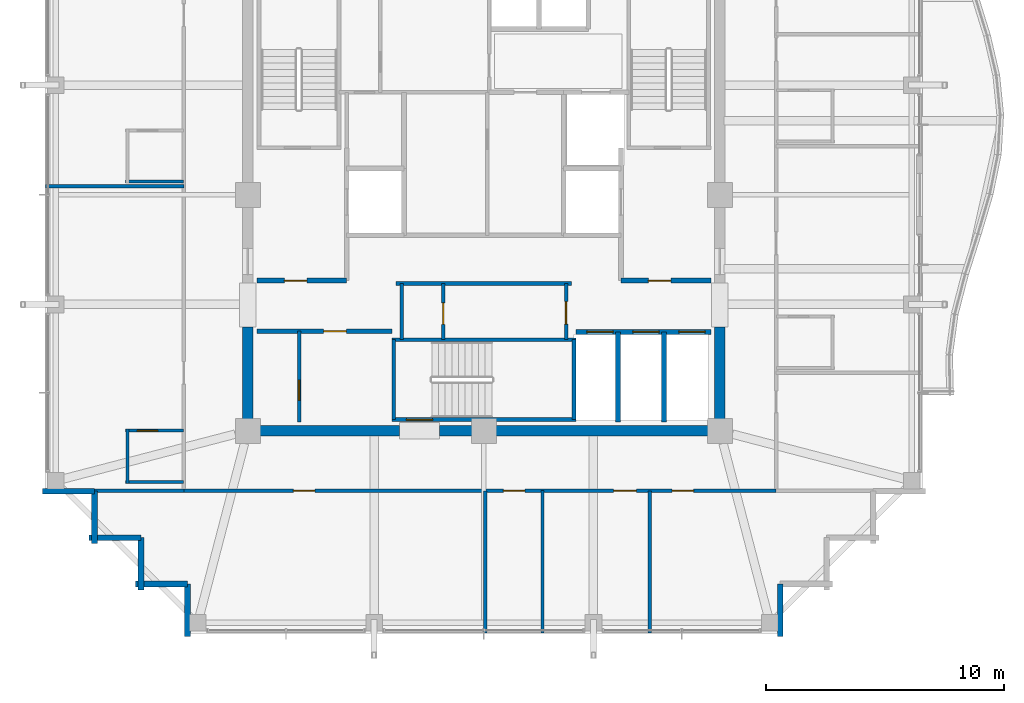
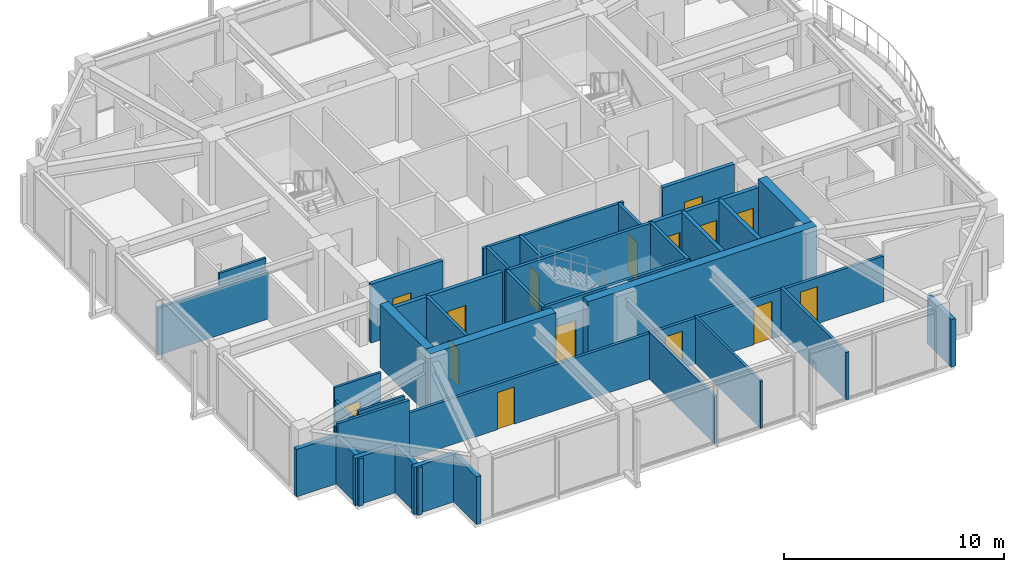
# One storey, part 24 of 29: 36 walls, 15 doors, 15 openings.
"""IFC4 building model written with IfcOpenShell, lengths in metres."""

from ifc_helpers import new_model, si_unit, direction, frame, frame_2d, origin, place, context, subcontext, project, spatial, rectangle, extrude, material, layer, layer_set, type_object, element, fill, save


model = new_model("IFC4")

# Units and contexts
model_context = context("Model", 3, precision=1e-05, world=origin(), true_north=direction((0.0, 1.0)))
body_context = subcontext(model_context, "Body", "Model", "MODEL_VIEW")
ifc_project = project(units=[si_unit("LENGTHUNIT", "METRE"), si_unit("AREAUNIT", "SQUARE_METRE"), si_unit("VOLUMEUNIT", "CUBIC_METRE"), si_unit("PLANEANGLEUNIT", "RADIAN"), si_unit("MASSUNIT", "GRAM", prefix="KILO")], contexts=[model_context])

# Site, building, storey
site_placement = place(None, origin())
site = spatial("IfcSite", under=ifc_project, at=site_placement, CompositionType="ELEMENT")
building_placement = place(site_placement, origin())
building = spatial("IfcBuilding", under=site, at=building_placement, Name="Kolvaren Belvedere", CompositionType="ELEMENT")
storey_placement = place(building_placement, frame((0.0, 0.0, 244.39990234375)))
storey = spatial("IfcBuildingStorey", under=building, at=storey_placement, Name="L71", CompositionType="ELEMENT", Elevation=244.39990234375)

# Walls
ifc_material_1 = material(Name="Concrete C50/60", Category="concrete")
ifc_layer_1 = layer(ifc_material_1, 0.449951171875)
ifc_layer_set_1 = layer_set([ifc_layer_1], Name="Concrete C50/60")
wall_type_1 = type_object("IfcWallType", Name="CW-CORE-450", PredefinedType="SHEAR", material=ifc_layer_set_1)
wall_1_placement = place(storey_placement, frame((10.125, -9.89990234375, 0.0), z_axis=(0.0, 0.0, 1.0), x_axis=(-1.0, 0.0, 0.0)))
element("IfcWall", 1, at=wall_1_placement, inside=storey, type_object=wall_type_1, Name="L71 South Core Shear Wall 1", PredefinedType="SHEAR", context=body_context, shape_type="SweptSolid", body=[
    extrude(rectangle(XDim=11.985107421875, YDim=0.449951171875, at=frame_2d((5.99267578125, 0.0))), origin(), (0.0, 0.0, 1.0), 3.5),
])
wall_2_placement = place(storey_placement, frame((-3.5400390625, -9.89990234375, 0.0), z_axis=(0.0, 0.0, 1.0), x_axis=(-1.0, 0.0, 0.0)))
element("IfcWall", 2, at=wall_2_placement, inside=storey, type_object=wall_type_1, Name="L71 South Core Shear Wall 2", PredefinedType="SHEAR", context=body_context, shape_type="SweptSolid", body=[
    extrude(rectangle(XDim=6.5849609375, YDim=0.449951171875, at=frame_2d((3.29248046875, 0.0))), origin(), (0.0, 0.0, 1.0), 3.5),
])
for number, where, z_axis, x_axis, name in (
    (3, (-9.89990234375, -9.675048828125, 0.0), (0.0, 0.0, 1.0), (0.0, 1.0, 0.0), "L71 West Core Shear Wall 1"),
    (4, (9.89990234375, -9.675048828125, 0.0), (0.0, 0.0, 1.0), (0.0, 1.0, 0.0), "L71 East Core Shear Wall 1"),
):
    element("IfcWall", number, at=place(storey_placement, frame(where, z_axis=z_axis, x_axis=x_axis)), inside=storey, type_object=wall_type_1, Name=name, PredefinedType="SHEAR", context=body_context, shape_type="SweptSolid", body=[
        extrude(rectangle(XDim=4.125, YDim=0.449951171875, at=frame_2d((2.0625, 0.0))), origin(), (0.0, 0.0, 1.0), 3.5),
    ])

# Wall, opening, door
ifc_material_2 = material(Name="Concrete C50/60", Category="concrete")
ifc_layer_2 = layer(ifc_material_2, 0.159912109375)
ifc_layer_set_2 = layer_set([ifc_layer_2], Name="Concrete C50/60")
wall_type_2 = type_object("IfcWallType", Name="CW-STAIR-160", PredefinedType="SHEAR", material=ifc_layer_set_2)
wall_3_placement = place(storey_placement, frame((3.860107421875, -9.429931640625, 0.0), z_axis=(0.0, 0.0, 1.0), x_axis=(-1.0, 0.0, 0.0)))
wall_3 = element("IfcWall", 5, at=wall_3_placement, inside=storey, type_object=wall_type_2, Name="L71 Stair ST-3 South Shear Wall", PredefinedType="SHEAR", context=body_context, shape_type="SweptSolid", body=[
    extrude(rectangle(XDim=7.72021484375, YDim=0.159912109375, at=frame_2d((3.860107421875, 0.0))), origin(), (0.0, 0.0, 1.0), 3.5),
])
opening_1_placement = place(wall_3_placement, frame((6.010009765625, 0.0, 0.0)))
opening_1 = element("IfcOpeningElement", 6, at=opening_1_placement, cuts=wall_3, Name="Opening D-FD90", PredefinedType="OPENING", context=body_context, shape_type="SweptSolid", body=[
    extrude(rectangle(XDim=1.10009765625, YDim=2.199951171875, at=frame_2d((0.550048828125, 1.10009765625))), frame((0.0, 0.08984375, 0.0), z_axis=(0.0, -1.0, 0.0), x_axis=(1.0, 0.0, 0.0)), (0.0, 0.0, 1.0), 0.179931640625),
])
ifc_material_3 = material(Name="Painted hollow stainless steel", Category="steel")
door_type_1 = type_object("IfcDoorType", Name="DR-FD90-1100", OperationType="NOTDEFINED", PredefinedType="DOOR", material=ifc_material_3)
door_1_placement = place(opening_1_placement, origin())
door_1 = element("IfcDoor", 7, at=door_1_placement, inside=storey, type_object=door_type_1, Name="L71 Stair ST-3 Exit Door", OperationType="SINGLE_SWING_RIGHT", OverallHeight=2.199951171875, OverallWidth=1.10009765625, PredefinedType="DOOR", context=body_context, shape_type="SweptSolid", body=[
    extrude(rectangle(XDim=1.10009765625, YDim=2.199951171875, at=frame_2d((0.550048828125, 1.10009765625))), frame((0.0, 0.02490234375, 0.0), z_axis=(0.0, -1.0, 0.0), x_axis=(1.0, 0.0, 0.0)), (0.0, 0.0, 1.0), 0.050048828125),
])
fill(opening_1, door_1)

# Walls
wall_4_placement = place(storey_placement, frame((-3.860107421875, -6.080078125, 0.0), z_axis=(0.0, 0.0, 1.0), x_axis=(1.0, 0.0, 0.0)))
element("IfcWall", 8, at=wall_4_placement, inside=storey, type_object=wall_type_2, Name="L71 Stair ST-3 North Shear Wall", PredefinedType="SHEAR", context=body_context, shape_type="SweptSolid", body=[
    extrude(rectangle(XDim=7.72021484375, YDim=0.159912109375, at=frame_2d((3.860107421875, 0.0))), origin(), (0.0, 0.0, 1.0), 3.5),
])
for number, where, z_axis, x_axis, name in (
    (9, (-3.780029296875, -9.429931640625, 0.0), (0.0, 0.0, 1.0), (0.0, 1.0, 0.0), "L71 Stair ST-3 West Shear Wall"),
    (10, (3.780029296875, -9.429931640625, 0.0), (0.0, 0.0, 1.0), (0.0, 1.0, 0.0), "L71 Stair ST-3 East Shear Wall"),
):
    element("IfcWall", number, at=place(storey_placement, frame(where, z_axis=z_axis, x_axis=x_axis)), inside=storey, type_object=wall_type_2, Name=name, PredefinedType="SHEAR", context=body_context, shape_type="SweptSolid", body=[
        extrude(rectangle(XDim=3.349853515625, YDim=0.159912109375, at=frame_2d((1.6748046875, 0.0))), origin(), (0.0, 0.0, 1.0), 3.5),
    ])

# Wall, openings, doors
ifc_material_4 = material(Name="Gypsum fire-rated partition assembly", Category="gypsum")
ifc_layer_3 = layer(ifc_material_4, 0.14990234375)
ifc_layer_set_3 = layer_set([ifc_layer_3], Name="Gypsum fire-rated partition assembly")
wall_type_3 = type_object("IfcWallType", Name="WL-CORR-150", PredefinedType="PARTITIONING", material=ifc_layer_set_3)
wall_5_placement = place(storey_placement, frame((-12.580078125, -12.419921875, 0.0), z_axis=(0.0, 0.0, 1.0), x_axis=(1.0, 0.0, 0.0)))
wall_5 = element("IfcWall", 11, at=wall_5_placement, inside=storey, type_object=wall_type_3, Name="L71 South Corridor Wall", PredefinedType="PARTITIONING", context=body_context, shape_type="SweptSolid", body=[
    extrude(rectangle(XDim=24.840087890625, YDim=0.14990234375, at=frame_2d((12.419921875, 0.0))), origin(), (0.0, 0.0, 1.0), 2.5390625),
])
opening_2_placement = place(wall_5_placement, frame((4.594970703125, 0.0, 0.0)))
opening_2 = element("IfcOpeningElement", 12, at=opening_2_placement, cuts=wall_5, Name="Opening D-INT90", PredefinedType="OPENING", context=body_context, shape_type="SweptSolid", body=[
    extrude(rectangle(XDim=0.89990234375, YDim=2.06005859375, at=frame_2d((0.449951171875, 1.030029296875))), frame((0.0, 0.0849609375, 0.0), z_axis=(0.0, -1.0, 0.0), x_axis=(1.0, 0.0, 0.0)), (0.0, 0.0, 1.0), 0.169921875),
])
opening_3_placement = place(wall_5_placement, frame((13.406005859375, 0.0, 0.0)))
opening_3 = element("IfcOpeningElement", 13, at=opening_3_placement, cuts=wall_5, Name="Opening D-INT90", PredefinedType="OPENING", context=body_context, shape_type="SweptSolid", body=[
    extrude(rectangle(XDim=0.89990234375, YDim=2.06005859375, at=frame_2d((0.449951171875, 1.030029296875))), frame((0.0, 0.0849609375, 0.0), z_axis=(0.0, -1.0, 0.0), x_axis=(1.0, 0.0, 0.0)), (0.0, 0.0, 1.0), 0.169921875),
])
opening_4_placement = place(wall_5_placement, frame((18.028076171875, 0.0, 0.0)))
opening_4 = element("IfcOpeningElement", 14, at=opening_4_placement, cuts=wall_5, Name="Opening D-INT95", PredefinedType="OPENING", context=body_context, shape_type="SweptSolid", body=[
    extrude(rectangle(XDim=0.949951171875, YDim=2.06005859375, at=frame_2d((0.47509765625, 1.030029296875))), frame((0.0, 0.0849609375, 0.0), z_axis=(0.0, -1.0, 0.0), x_axis=(1.0, 0.0, 0.0)), (0.0, 0.0, 1.0), 0.169921875),
])
opening_5_placement = place(wall_5_placement, frame((20.47802734375, 0.0, 0.0)))
opening_5 = element("IfcOpeningElement", 15, at=opening_5_placement, cuts=wall_5, Name="Opening D-INT90", PredefinedType="OPENING", context=body_context, shape_type="SweptSolid", body=[
    extrude(rectangle(XDim=0.89990234375, YDim=2.06005859375, at=frame_2d((0.449951171875, 1.030029296875))), frame((0.0, 0.0849609375, 0.0), z_axis=(0.0, -1.0, 0.0), x_axis=(1.0, 0.0, 0.0)), (0.0, 0.0, 1.0), 0.169921875),
])
ifc_material_5 = material(Name="Stained Pacific white oak", Category="timber")
door_type_2 = type_object("IfcDoorType", Name="DR-INT-900", OperationType="NOTDEFINED", PredefinedType="DOOR", material=ifc_material_5)
door_2_placement = place(opening_2_placement, origin())
door_2 = element("IfcDoor", 16, at=door_2_placement, inside=storey, type_object=door_type_2, Name="L71 Guest Tea & Espresso Kitchen 7101 Door", OperationType="SINGLE_SWING_LEFT", OverallHeight=2.06005859375, OverallWidth=0.89990234375, PredefinedType="DOOR", context=body_context, shape_type="SweptSolid", body=[
    extrude(rectangle(XDim=0.89990234375, YDim=2.06005859375, at=frame_2d((0.449951171875, 1.030029296875))), frame((0.0, 0.02490234375, 0.0), z_axis=(0.0, -1.0, 0.0), x_axis=(1.0, 0.0, 0.0)), (0.0, 0.0, 1.0), 0.050048828125),
])
fill(opening_2, door_2)
door_3_placement = place(opening_3_placement, origin())
door_3 = element("IfcDoor", 17, at=door_3_placement, inside=storey, type_object=door_type_2, Name="L71 Housekeeping Door", OperationType="SINGLE_SWING_RIGHT", OverallHeight=2.06005859375, OverallWidth=0.89990234375, PredefinedType="DOOR", context=body_context, shape_type="SweptSolid", body=[
    extrude(rectangle(XDim=0.89990234375, YDim=2.06005859375, at=frame_2d((0.449951171875, 1.030029296875))), frame((0.0, 0.02490234375, 0.0), z_axis=(0.0, -1.0, 0.0), x_axis=(1.0, 0.0, 0.0)), (0.0, 0.0, 1.0), 0.050048828125),
])
fill(opening_3, door_3)
door_4_placement = place(opening_5_placement, origin())
door_4 = element("IfcDoor", 18, at=door_4_placement, inside=storey, type_object=door_type_2, Name="L71 Private Hospitality Meeting Room 7102 Door", OperationType="SINGLE_SWING_RIGHT", OverallHeight=2.06005859375, OverallWidth=0.89990234375, PredefinedType="DOOR", context=body_context, shape_type="SweptSolid", body=[
    extrude(rectangle(XDim=0.89990234375, YDim=2.06005859375, at=frame_2d((0.449951171875, 1.030029296875))), frame((0.0, 0.02490234375, 0.0), z_axis=(0.0, -1.0, 0.0), x_axis=(1.0, 0.0, 0.0)), (0.0, 0.0, 1.0), 0.050048828125),
])
fill(opening_5, door_4)
ifc_material_6 = material(Name="Stained Pacific white oak", Category="timber")
door_type_3 = type_object("IfcDoorType", Name="DR-INT-950", OperationType="NOTDEFINED", PredefinedType="DOOR", material=ifc_material_6)
door_5_placement = place(opening_4_placement, origin())
door_5 = element("IfcDoor", 19, at=door_5_placement, inside=storey, type_object=door_type_3, Name="L71 Accessible Washroom Door", OperationType="SINGLE_SWING_LEFT", OverallHeight=2.06005859375, OverallWidth=0.949951171875, PredefinedType="DOOR", context=body_context, shape_type="SweptSolid", body=[
    extrude(rectangle(XDim=0.949951171875, YDim=2.06005859375, at=frame_2d((0.47509765625, 1.030029296875))), frame((0.0, 0.02490234375, 0.0), z_axis=(0.0, -1.0, 0.0), x_axis=(1.0, 0.0, 0.0)), (0.0, 0.0, 1.0), 0.050048828125),
])
fill(opening_4, door_5)

# Walls
ifc_material_7 = material(Name="Insulated pale-metal facade wall assembly", Category="aluminium")
ifc_layer_4 = layer(ifc_material_7, 0.239990234375)
ifc_layer_set_4 = layer_set([ifc_layer_4], Name="Insulated pale-metal facade wall assembly")
wall_type_4 = type_object("IfcWallType", Name="WL-EXT-240", PredefinedType="STANDARD", material=ifc_layer_set_4)
for number, where, z_axis, x_axis, name in (
    (20, (12.429931640625, -16.330078125, 0.0), (0.0, 0.0, 1.0), (0.0, -1.0, 0.0), "L71 Serrated Corner Facade Wall 2"),
    (21, (-16.330078125, -12.429931640625, 0.0), (0.0, 0.0, 1.0), (-1.0, 0.0, 0.0), "L71 Serrated Corner Facade Wall 23"),
):
    element("IfcWall", number, at=place(storey_placement, frame(where, z_axis=z_axis, x_axis=x_axis)), inside=storey, type_object=wall_type_4, Name=name, PredefinedType="STANDARD", context=body_context, shape_type="SweptSolid", body=[
        extrude(rectangle(XDim=2.18994140625, YDim=0.239990234375, at=frame_2d((1.094970703125, 0.0))), origin(), (0.0, 0.0, 1.0), 2.633056640625),
    ])
for number, where, z_axis, x_axis, name in (
    (22, (-16.330078125, -14.6201171875, 0.0), (0.0, 0.0, 1.0), (0.0, 1.0, 0.0), "L71 Serrated Corner Facade Wall 24"),
    (23, (-14.3798828125, -14.3798828125, 0.0), (0.0, 0.0, 1.0), (-1.0, 0.0, 0.0), "L71 Serrated Corner Facade Wall 25"),
    (24, (-14.3798828125, -16.570068359375, 0.0), (0.0, 0.0, 1.0), (0.0, 1.0, 0.0), "L71 Serrated Corner Facade Wall 26"),
    (25, (-12.429931640625, -16.330078125, 0.0), (0.0, 0.0, 1.0), (-1.0, 0.0, 0.0), "L71 Serrated Corner Facade Wall 27"),
):
    element("IfcWall", number, at=place(storey_placement, frame(where, z_axis=z_axis, x_axis=x_axis)), inside=storey, type_object=wall_type_4, Name=name, PredefinedType="STANDARD", context=body_context, shape_type="SweptSolid", body=[
        extrude(rectangle(XDim=2.190185546875, YDim=0.239990234375, at=frame_2d((1.09521484375, 0.0))), origin(), (0.0, 0.0, 1.0), 2.633056640625),
    ])
wall_6_placement = place(storey_placement, frame((-12.429931640625, -18.52001953125, 0.0), z_axis=(0.0, 0.0, 1.0), x_axis=(0.0, 1.0, 0.0)))
element("IfcWall", 26, at=wall_6_placement, inside=storey, type_object=wall_type_4, Name="L71 Serrated Corner Facade Wall 28", PredefinedType="STANDARD", context=body_context, shape_type="SweptSolid", body=[
    extrude(rectangle(XDim=2.18994140625, YDim=0.239990234375, at=frame_2d((1.094970703125, 0.0))), origin(), (0.0, 0.0, 1.0), 2.633056640625),
])

# Wall, opening, door
ifc_material_8 = material(Name="Gypsum acoustic partition assembly", Category="gypsum")
ifc_layer_5 = layer(ifc_material_8, 0.14990234375)
ifc_layer_set_5 = layer_set([ifc_layer_5], Name="Gypsum acoustic partition assembly")
wall_type_5 = type_object("IfcWallType", Name="WL-PART-150", PredefinedType="PARTITIONING", material=ifc_layer_set_5)
wall_7_placement = place(storey_placement, frame((-7.75, -9.52001953125, 0.0), z_axis=(0.0, 0.0, 1.0), x_axis=(0.0, 1.0, 0.0)))
wall_7 = element("IfcWall", 27, at=wall_7_placement, inside=storey, type_object=wall_type_5, Name="L71 Reclaimed Mid Store Divider", PredefinedType="PARTITIONING", context=body_context, shape_type="SweptSolid", body=[
    extrude(rectangle(XDim=3.800048828125, YDim=0.14990234375, at=frame_2d((1.89990234375, 0.0))), origin(), (0.0, 0.0, 1.0), 3.25),
])
opening_6_placement = place(wall_7_placement, frame((0.89990234375, 0.0, 0.0)))
opening_6 = element("IfcOpeningElement", 28, at=opening_6_placement, cuts=wall_7, Name="Opening D-INT85", PredefinedType="OPENING", context=body_context, shape_type="SweptSolid", body=[
    extrude(rectangle(XDim=0.85009765625, YDim=2.030029296875, at=frame_2d((0.425048828125, 1.01513671875))), frame((0.0, 0.0849609375, 0.0), z_axis=(0.0, -1.0, 0.0), x_axis=(1.0, 0.0, 0.0)), (0.0, 0.0, 1.0), 0.169921875),
])
ifc_material_9 = material(Name="Stained Pacific white oak", Category="timber")
door_type_4 = type_object("IfcDoorType", Name="DR-INT-850", OperationType="NOTDEFINED", PredefinedType="DOOR", material=ifc_material_9)
door_6_placement = place(opening_6_placement, origin())
door_6 = element("IfcDoor", 29, at=door_6_placement, inside=storey, type_object=door_type_4, Name="L71 Janitor Store Door", OperationType="SINGLE_SWING_RIGHT", OverallHeight=2.030029296875, OverallWidth=0.85009765625, PredefinedType="DOOR", context=body_context, shape_type="SweptSolid", body=[
    extrude(rectangle(XDim=0.85009765625, YDim=2.030029296875, at=frame_2d((0.425048828125, 1.01513671875))), frame((0.0, 0.02490234375, 0.0), z_axis=(0.0, -1.0, 0.0), x_axis=(1.0, 0.0, 0.0)), (0.0, 0.0, 1.0), 0.050048828125),
])
fill(opening_6, door_6)

# Wall
wall_8_placement = place(storey_placement, frame((-3.679931640625, -3.719970703125, 0.0), z_axis=(0.0, 0.0, 1.0), x_axis=(1.0, 0.0, 0.0)))
element("IfcWall", 30, at=wall_8_placement, inside=storey, type_object=wall_type_5, Name="L71 South Core Service North Wall", PredefinedType="PARTITIONING", context=body_context, shape_type="SweptSolid", body=[
    extrude(rectangle(XDim=7.35986328125, YDim=0.14990234375, at=frame_2d((3.679931640625, 0.0))), origin(), (0.0, 0.0, 1.0), 3.25),
])

# Wall, opening, door
wall_9_placement = place(storey_placement, frame((3.449951171875, -6.080078125, 0.0), z_axis=(0.0, 0.0, 1.0), x_axis=(0.0, 1.0, 0.0)))
wall_9 = element("IfcWall", 31, at=wall_9_placement, inside=storey, type_object=wall_type_5, Name="L71 South Core Service East Wall", PredefinedType="PARTITIONING", context=body_context, shape_type="SweptSolid", body=[
    extrude(rectangle(XDim=2.360107421875, YDim=0.14990234375, at=frame_2d((1.18017578125, 0.0))), origin(), (0.0, 0.0, 1.0), 3.25),
])
opening_7_placement = place(wall_9_placement, frame((0.64990234375, 0.0, 0.0)))
opening_7 = element("IfcOpeningElement", 32, at=opening_7_placement, cuts=wall_9, Name="Opening D-FD60", PredefinedType="OPENING", context=body_context, shape_type="SweptSolid", body=[
    extrude(rectangle(XDim=0.949951171875, YDim=2.06005859375, at=frame_2d((0.47509765625, 1.030029296875))), frame((0.0, 0.0849609375, 0.0), z_axis=(0.0, -1.0, 0.0), x_axis=(1.0, 0.0, 0.0)), (0.0, 0.0, 1.0), 0.169921875),
])
ifc_material_10 = material(Name="Acoustic white-oak fire door leaf", Category="timber")
door_type_5 = type_object("IfcDoorType", Name="DR-FD60-950", OperationType="NOTDEFINED", PredefinedType="DOOR", material=ifc_material_10)
door_7_placement = place(opening_7_placement, origin())
door_7 = element("IfcDoor", 33, at=door_7_placement, inside=storey, type_object=door_type_5, Name="L71 Core Service Room Door", OperationType="SINGLE_SWING_LEFT", OverallHeight=2.06005859375, OverallWidth=0.949951171875, PredefinedType="DOOR", context=body_context, shape_type="SweptSolid", body=[
    extrude(rectangle(XDim=0.949951171875, YDim=2.06005859375, at=frame_2d((0.47509765625, 1.030029296875))), frame((0.0, 0.02490234375, 0.0), z_axis=(0.0, -1.0, 0.0), x_axis=(1.0, 0.0, 0.0)), (0.0, 0.0, 1.0), 0.050048828125),
])
fill(opening_7, door_7)

# Wall
wall_10_placement = place(storey_placement, frame((-3.449951171875, -6.080078125, 0.0), z_axis=(0.0, 0.0, 1.0), x_axis=(0.0, 1.0, 0.0)))
element("IfcWall", 34, at=wall_10_placement, inside=storey, type_object=wall_type_5, Name="L71 South Core Service West Wall", PredefinedType="PARTITIONING", context=body_context, shape_type="SweptSolid", body=[
    extrude(rectangle(XDim=2.360107421875, YDim=0.14990234375, at=frame_2d((1.18017578125, 0.0))), origin(), (0.0, 0.0, 1.0), 3.25),
])

# Wall, opening, door
wall_11_placement = place(storey_placement, frame((-1.699951171875, -6.080078125, 0.0), z_axis=(0.0, 0.0, 1.0), x_axis=(0.0, 1.0, 0.0)))
wall_11 = element("IfcWall", 35, at=wall_11_placement, inside=storey, type_object=wall_type_5, Name="L71 Core Service Divider", PredefinedType="PARTITIONING", context=body_context, shape_type="SweptSolid", body=[
    extrude(rectangle(XDim=2.360107421875, YDim=0.14990234375, at=frame_2d((1.18017578125, 0.0))), origin(), (0.0, 0.0, 1.0), 3.25),
])
opening_8_placement = place(wall_11_placement, frame((0.64990234375, 0.0, 0.0)))
opening_8 = element("IfcOpeningElement", 36, at=opening_8_placement, cuts=wall_11, Name="Opening D-INT90", PredefinedType="OPENING", context=body_context, shape_type="SweptSolid", body=[
    extrude(rectangle(XDim=0.89990234375, YDim=2.06005859375, at=frame_2d((0.449951171875, 1.030029296875))), frame((0.0, 0.0849609375, 0.0), z_axis=(0.0, -1.0, 0.0), x_axis=(1.0, 0.0, 0.0)), (0.0, 0.0, 1.0), 0.169921875),
])
door_8_placement = place(opening_8_placement, origin())
door_8 = element("IfcDoor", 37, at=door_8_placement, inside=storey, type_object=door_type_2, Name="L71 Telecom Inner Door", OperationType="SINGLE_SWING_RIGHT", OverallHeight=2.06005859375, OverallWidth=0.89990234375, PredefinedType="DOOR", context=body_context, shape_type="SweptSolid", body=[
    extrude(rectangle(XDim=0.89990234375, YDim=2.06005859375, at=frame_2d((0.449951171875, 1.030029296875))), frame((0.0, 0.02490234375, 0.0), z_axis=(0.0, -1.0, 0.0), x_axis=(1.0, 0.0, 0.0)), (0.0, 0.0, 1.0), 0.050048828125),
])
fill(opening_8, door_8)

# Walls
wall_12_placement = place(storey_placement, frame((-16.320068359375, -12.419921875, 0.0), z_axis=(0.0, 0.0, 1.0), x_axis=(1.0, 0.0, 0.0)))
element("IfcWall", 38, at=wall_12_placement, inside=storey, type_object=wall_type_5, Name="L71 Wing Divider PW-L71-QSW", PredefinedType="PARTITIONING", context=body_context, shape_type="SweptSolid", body=[
    extrude(rectangle(XDim=3.739990234375, YDim=0.14990234375, at=frame_2d((1.8701171875, 0.0))), origin(), (0.0, 0.0, 1.0), 3.25),
])
for number, where, z_axis, x_axis, name in (
    (39, (0.06005859375, -18.3798828125, 0.0), (0.0, 0.0, 1.0), (0.0, 1.0, 0.0), "L71 South Suite Demising Wall 1"),
    (40, (6.9599609375, -18.3798828125, 0.0), (0.0, 0.0, 1.0), (0.0, 1.0, 0.0), "L71 South Suite Demising Wall 2"),
):
    element("IfcWall", number, at=place(storey_placement, frame(where, z_axis=z_axis, x_axis=x_axis)), inside=storey, type_object=wall_type_5, Name=name, PredefinedType="PARTITIONING", context=body_context, shape_type="SweptSolid", body=[
        extrude(rectangle(XDim=5.9599609375, YDim=0.14990234375, at=frame_2d((2.97998046875, 0.0))), origin(), (0.0, 0.0, 1.0), 2.623046875),
    ])
wall_13_placement = place(storey_placement, frame((-18.3798828125, 0.35595703125, 0.0), z_axis=(0.0, 0.0, 1.0), x_axis=(1.0, 0.0, 0.0)))
element("IfcWall", 41, at=wall_13_placement, inside=storey, type_object=wall_type_5, Name="L71 West Suite Demising Wall 1", PredefinedType="PARTITIONING", context=body_context, shape_type="SweptSolid", body=[
    extrude(rectangle(XDim=5.7998046875, YDim=0.14990234375, at=frame_2d((2.89990234375, 0.0))), origin(), (0.0, 0.0, 1.0), 2.623046875),
])

# Wall, opening, door
ifc_material_11 = material(Name="Concrete C50/60", Category="concrete")
ifc_layer_6 = layer(ifc_material_11, 0.199951171875)
ifc_layer_set_6 = layer_set([ifc_layer_6], Name="Concrete C50/60")
wall_type_6 = type_object("IfcWallType", Name="WL-SHAFT-200", PredefinedType="SOLIDWALL", material=ifc_layer_set_6)
wall_14_placement = place(storey_placement, frame((-9.52001953125, -3.60009765625, 0.0), z_axis=(0.0, 0.0, 1.0), x_axis=(1.0, 0.0, 0.0)))
wall_14 = element("IfcWall", 42, at=wall_14_placement, inside=storey, type_object=wall_type_6, Name="L71 West FSAE Lobby South Wall", PredefinedType="SOLIDWALL", context=body_context, shape_type="SweptSolid", body=[
    extrude(rectangle(XDim=3.77001953125, YDim=0.199951171875, at=frame_2d((1.885009765625, 0.0))), origin(), (0.0, 0.0, 1.0), 3.25),
])
opening_9_placement = place(wall_14_placement, frame((1.14990234375, 0.0, 0.0)))
opening_9 = element("IfcOpeningElement", 43, at=opening_9_placement, cuts=wall_14, Name="Opening D-FD60", PredefinedType="OPENING", context=body_context, shape_type="SweptSolid", body=[
    extrude(rectangle(XDim=0.949951171875, YDim=2.06005859375, at=frame_2d((0.47509765625, 1.030029296875))), frame((0.0, 0.10986328125, 0.0), z_axis=(0.0, -1.0, 0.0), x_axis=(1.0, 0.0, 0.0)), (0.0, 0.0, 1.0), 0.219970703125),
])
door_9_placement = place(opening_9_placement, origin())
door_9 = element("IfcDoor", 44, at=door_9_placement, inside=storey, type_object=door_type_5, Name="L71 SW Lobby Fire Door", OperationType="SINGLE_SWING_LEFT", OverallHeight=2.06005859375, OverallWidth=0.949951171875, PredefinedType="DOOR", context=body_context, shape_type="SweptSolid", body=[
    extrude(rectangle(XDim=0.949951171875, YDim=2.06005859375, at=frame_2d((0.47509765625, 1.030029296875))), frame((0.0, 0.02490234375, 0.0), z_axis=(0.0, -1.0, 0.0), x_axis=(1.0, 0.0, 0.0)), (0.0, 0.0, 1.0), 0.050048828125),
])
fill(opening_9, door_9)

wall_15_placement = place(storey_placement, frame((5.75, -3.60009765625, 0.0), z_axis=(0.0, 0.0, 1.0), x_axis=(1.0, 0.0, 0.0)))
wall_15 = element("IfcWall", 45, at=wall_15_placement, inside=storey, type_object=wall_type_6, Name="L71 East FSAE Lobby South Wall", PredefinedType="SOLIDWALL", context=body_context, shape_type="SweptSolid", body=[
    extrude(rectangle(XDim=3.77001953125, YDim=0.199951171875, at=frame_2d((1.885009765625, 0.0))), origin(), (0.0, 0.0, 1.0), 3.25),
])
opening_10_placement = place(wall_15_placement, frame((1.14990234375, 0.0, 0.0)))
opening_10 = element("IfcOpeningElement", 46, at=opening_10_placement, cuts=wall_15, Name="Opening D-FD60", PredefinedType="OPENING", context=body_context, shape_type="SweptSolid", body=[
    extrude(rectangle(XDim=0.949951171875, YDim=2.06005859375, at=frame_2d((0.47509765625, 1.030029296875))), frame((0.0, 0.10986328125, 0.0), z_axis=(0.0, -1.0, 0.0), x_axis=(1.0, 0.0, 0.0)), (0.0, 0.0, 1.0), 0.219970703125),
])
door_10_placement = place(opening_10_placement, origin())
door_10 = element("IfcDoor", 47, at=door_10_placement, inside=storey, type_object=door_type_5, Name="L71 SE Lift Lobby Fire Door", OperationType="SINGLE_SWING_RIGHT", OverallHeight=2.06005859375, OverallWidth=0.949951171875, PredefinedType="DOOR", context=body_context, shape_type="SweptSolid", body=[
    extrude(rectangle(XDim=0.949951171875, YDim=2.06005859375, at=frame_2d((0.47509765625, 1.030029296875))), frame((0.0, 0.02490234375, 0.0), z_axis=(0.0, -1.0, 0.0), x_axis=(1.0, 0.0, 0.0)), (0.0, 0.0, 1.0), 0.050048828125),
])
fill(opening_10, door_10)

wall_16_placement = place(storey_placement, frame((-9.52001953125, -5.719970703125, 0.0), z_axis=(0.0, 0.0, 1.0), x_axis=(1.0, 0.0, 0.0)))
wall_16 = element("IfcWall", 48, at=wall_16_placement, inside=storey, type_object=wall_type_6, Name="L71 Reclaimed Mid Room North Wall", PredefinedType="SOLIDWALL", context=body_context, shape_type="SweptSolid", body=[
    extrude(rectangle(XDim=5.659912109375, YDim=0.199951171875, at=frame_2d((2.830078125, 0.0))), origin(), (0.0, 0.0, 1.0), 3.25),
])
opening_11_placement = place(wall_16_placement, frame((2.800048828125, 0.0, 0.0)))
opening_11 = element("IfcOpeningElement", 49, at=opening_11_placement, cuts=wall_16, Name="Opening D-FD60", PredefinedType="OPENING", context=body_context, shape_type="SweptSolid", body=[
    extrude(rectangle(XDim=0.949951171875, YDim=2.06005859375, at=frame_2d((0.47509765625, 1.030029296875))), frame((0.0, 0.10986328125, 0.0), z_axis=(0.0, -1.0, 0.0), x_axis=(1.0, 0.0, 0.0)), (0.0, 0.0, 1.0), 0.219970703125),
])
door_11_placement = place(opening_11_placement, origin())
door_11 = element("IfcDoor", 50, at=door_11_placement, inside=storey, type_object=door_type_5, Name="L71 Reading Lounge Door", OperationType="SINGLE_SWING_LEFT", OverallHeight=2.06005859375, OverallWidth=0.949951171875, PredefinedType="DOOR", context=body_context, shape_type="SweptSolid", body=[
    extrude(rectangle(XDim=0.949951171875, YDim=2.06005859375, at=frame_2d((0.47509765625, 1.030029296875))), frame((0.0, 0.02490234375, 0.0), z_axis=(0.0, -1.0, 0.0), x_axis=(1.0, 0.0, 0.0)), (0.0, 0.0, 1.0), 0.050048828125),
])
fill(opening_11, door_11)

# Wall, openings, doors
wall_17_placement = place(storey_placement, frame((3.860107421875, -5.75, 0.0), z_axis=(0.0, 0.0, 1.0), x_axis=(1.0, 0.0, 0.0)))
wall_17 = element("IfcWall", 51, at=wall_17_placement, inside=storey, type_object=wall_type_6, Name="L71 High-Rise Lift Bank Front Wall", PredefinedType="SOLIDWALL", context=body_context, shape_type="SweptSolid", body=[
    extrude(rectangle(XDim=5.659912109375, YDim=0.199951171875, at=frame_2d((2.830078125, 0.0))), origin(), (0.0, 0.0, 1.0), 3.25),
])
opening_12_placement = place(wall_17_placement, frame((0.4599609375, 0.0, 0.0)))
opening_12 = element("IfcOpeningElement", 52, at=opening_12_placement, cuts=wall_17, Name="Opening LD-11", PredefinedType="OPENING", context=body_context, shape_type="SweptSolid", body=[
    extrude(rectangle(XDim=1.10009765625, YDim=2.199951171875, at=frame_2d((0.550048828125, 1.10009765625))), frame((0.0, 0.10986328125, 0.0), z_axis=(0.0, -1.0, 0.0), x_axis=(1.0, 0.0, 0.0)), (0.0, 0.0, 1.0), 0.219970703125),
])
opening_13_placement = place(wall_17_placement, frame((2.389892578125, 0.0, 0.0)))
opening_13 = element("IfcOpeningElement", 53, at=opening_13_placement, cuts=wall_17, Name="Opening LD-11", PredefinedType="OPENING", context=body_context, shape_type="SweptSolid", body=[
    extrude(rectangle(XDim=1.10009765625, YDim=2.199951171875, at=frame_2d((0.550048828125, 1.10009765625))), frame((0.0, 0.10986328125, 0.0), z_axis=(0.0, -1.0, 0.0), x_axis=(1.0, 0.0, 0.0)), (0.0, 0.0, 1.0), 0.219970703125),
])
opening_14_placement = place(wall_17_placement, frame((4.320068359375, 0.0, 0.0)))
opening_14 = element("IfcOpeningElement", 54, at=opening_14_placement, cuts=wall_17, Name="Opening LD-11", PredefinedType="OPENING", context=body_context, shape_type="SweptSolid", body=[
    extrude(rectangle(XDim=1.10009765625, YDim=2.199951171875, at=frame_2d((0.550048828125, 1.10009765625))), frame((0.0, 0.10986328125, 0.0), z_axis=(0.0, -1.0, 0.0), x_axis=(1.0, 0.0, 0.0)), (0.0, 0.0, 1.0), 0.219970703125),
])
ifc_material_12 = material(Name="Brushed stainless steel", Category="steel")
door_type_6 = type_object("IfcDoorType", Name="DR-LIFT-1100", OperationType="DOUBLE_DOOR_SLIDING", PredefinedType="DOOR", material=ifc_material_12)
door_12_placement = place(opening_12_placement, origin())
door_12 = element("IfcDoor", 55, at=door_12_placement, inside=storey, type_object=door_type_6, Name="L71 Passenger Lift P7 Landing Door", OperationType="DOUBLE_DOOR_SLIDING", OverallHeight=2.199951171875, OverallWidth=1.10009765625, PredefinedType="DOOR", context=body_context, shape_type="SweptSolid", body=[
    extrude(rectangle(XDim=1.10009765625, YDim=2.199951171875, at=frame_2d((0.550048828125, 1.10009765625))), frame((0.0, 0.02490234375, 0.0), z_axis=(0.0, -1.0, 0.0), x_axis=(1.0, 0.0, 0.0)), (0.0, 0.0, 1.0), 0.050048828125),
])
fill(opening_12, door_12)
door_13_placement = place(opening_13_placement, origin())
door_13 = element("IfcDoor", 56, at=door_13_placement, inside=storey, type_object=door_type_6, Name="L71 Passenger Lift P8 Landing Door", OperationType="DOUBLE_DOOR_SLIDING", OverallHeight=2.199951171875, OverallWidth=1.10009765625, PredefinedType="DOOR", context=body_context, shape_type="SweptSolid", body=[
    extrude(rectangle(XDim=1.10009765625, YDim=2.199951171875, at=frame_2d((0.550048828125, 1.10009765625))), frame((0.0, 0.02490234375, 0.0), z_axis=(0.0, -1.0, 0.0), x_axis=(1.0, 0.0, 0.0)), (0.0, 0.0, 1.0), 0.050048828125),
])
fill(opening_13, door_13)
door_14_placement = place(opening_14_placement, origin())
door_14 = element("IfcDoor", 57, at=door_14_placement, inside=storey, type_object=door_type_6, Name="L71 Passenger Lift P9 Landing Door", OperationType="DOUBLE_DOOR_SLIDING", OverallHeight=2.199951171875, OverallWidth=1.10009765625, PredefinedType="DOOR", context=body_context, shape_type="SweptSolid", body=[
    extrude(rectangle(XDim=1.10009765625, YDim=2.199951171875, at=frame_2d((0.550048828125, 1.10009765625))), frame((0.0, 0.02490234375, 0.0), z_axis=(0.0, -1.0, 0.0), x_axis=(1.0, 0.0, 0.0)), (0.0, 0.0, 1.0), 0.050048828125),
])
fill(opening_14, door_14)

# Walls
for number, where, z_axis, x_axis, name in (
    (58, (5.6298828125, -9.52001953125, 0.0), (0.0, 0.0, 1.0), (0.0, 1.0, 0.0), "L71 High-Rise Hoistway Divider 1"),
    (59, (7.56005859375, -9.52001953125, 0.0), (0.0, 0.0, 1.0), (0.0, 1.0, 0.0), "L71 High-Rise Hoistway Divider 2"),
):
    element("IfcWall", number, at=place(storey_placement, frame(where, z_axis=z_axis, x_axis=x_axis)), inside=storey, type_object=wall_type_6, Name=name, PredefinedType="SOLIDWALL", context=body_context, shape_type="SweptSolid", body=[
        extrude(rectangle(XDim=3.77001953125, YDim=0.199951171875, at=frame_2d((1.885009765625, 0.0))), origin(), (0.0, 0.0, 1.0), 3.25),
    ])
ifc_material_13 = material(Name="Moisture-resistant gypsum partition", Category="gypsum")
ifc_layer_7 = layer(ifc_material_13, 0.125)
ifc_layer_set_7 = layer_set([ifc_layer_7], Name="Moisture-resistant gypsum partition")
wall_type_7 = type_object("IfcWallType", Name="WL-WET-125", PredefinedType="PARTITIONING", material=ifc_layer_set_7)
wall_18_placement = place(storey_placement, frame((2.452880859375, -18.3798828125, 0.0), z_axis=(0.0, 0.0, 1.0), x_axis=(0.0, 1.0, 0.0)))
element("IfcWall", 60, at=wall_18_placement, inside=storey, type_object=wall_type_7, Name="L71 Housekeeping Washroom Divider", PredefinedType="PARTITIONING", context=body_context, shape_type="SweptSolid", body=[
    extrude(rectangle(XDim=5.98486328125, YDim=0.125, at=frame_2d((2.992431640625, 0.0))), origin(), (0.0, 0.0, 1.0), 2.623046875),
])

# Wall, opening, door
wall_19_placement = place(storey_placement, frame((-15.034912109375, -9.89111328125, 0.0), z_axis=(0.0, 0.0, 1.0), x_axis=(1.0, 0.0, 0.0)))
wall_19 = element("IfcWall", 61, at=wall_19_placement, inside=storey, type_object=wall_type_7, Name="L71 Bathroom Partition PW-L71-BTH-7-N", PredefinedType="PARTITIONING", context=body_context, shape_type="SweptSolid", body=[
    extrude(rectangle(XDim=2.43994140625, YDim=0.125, at=frame_2d((1.219970703125, 0.0))), origin(), (0.0, 0.0, 1.0), 3.25),
])
opening_15_placement = place(wall_19_placement, frame((0.5, 0.0, 0.0)))
opening_15 = element("IfcOpeningElement", 62, at=opening_15_placement, cuts=wall_19, Name="Opening D-BTH85", PredefinedType="OPENING", context=body_context, shape_type="SweptSolid", body=[
    extrude(rectangle(XDim=0.85009765625, YDim=2.030029296875, at=frame_2d((0.425048828125, 1.01513671875))), frame((0.0, 0.072509765625, 0.0), z_axis=(0.0, -1.0, 0.0), x_axis=(1.0, 0.0, 0.0)), (0.0, 0.0, 1.0), 0.14501953125),
])
ifc_material_14 = material(Name="Moisture-sealed Pacific white oak", Category="timber")
door_type_7 = type_object("IfcDoorType", Name="DR-BATH-850", OperationType="NOTDEFINED", PredefinedType="DOOR", material=ifc_material_14)
door_15_placement = place(opening_15_placement, origin())
door_15 = element("IfcDoor", 63, at=door_15_placement, inside=storey, type_object=door_type_7, Name="L71 En-Suite Bathroom 7107 Door", OperationType="SINGLE_SWING_RIGHT", OverallHeight=2.030029296875, OverallWidth=0.85009765625, PredefinedType="DOOR", context=body_context, shape_type="SweptSolid", body=[
    extrude(rectangle(XDim=0.85009765625, YDim=2.030029296875, at=frame_2d((0.425048828125, 1.01513671875))), frame((0.0, 0.02490234375, 0.0), z_axis=(0.0, -1.0, 0.0), x_axis=(1.0, 0.0, 0.0)), (0.0, 0.0, 1.0), 0.050048828125),
])
fill(opening_15, door_15)

# Walls
wall_20_placement = place(storey_placement, frame((-14.955078125, -12.10107421875, 0.0), z_axis=(0.0, 0.0, 1.0), x_axis=(0.0, 1.0, 0.0)))
element("IfcWall", 64, at=wall_20_placement, inside=storey, type_object=wall_type_7, Name="L71 Bathroom Partition PW-L71-BTH-7-V", PredefinedType="PARTITIONING", context=body_context, shape_type="SweptSolid", body=[
    extrude(rectangle(XDim=2.27001953125, YDim=0.125, at=frame_2d((1.135009765625, 0.0))), origin(), (0.0, 0.0, 1.0), 2.5390625),
])
for number, where, z_axis, x_axis, name in (
    (65, (-15.034912109375, -12.041015625, 0.0), (0.0, 0.0, 1.0), (1.0, 0.0, 0.0), "L71 Bathroom Partition PW-L71-BTH-7-S"),
    (66, (-15.034912109375, 0.551025390625, 0.0), (0.0, 0.0, 1.0), (1.0, 0.0, 0.0), "L71 Bathroom Partition PW-L71-BTH-8-S"),
):
    element("IfcWall", number, at=place(storey_placement, frame(where, z_axis=z_axis, x_axis=x_axis)), inside=storey, type_object=wall_type_7, Name=name, PredefinedType="PARTITIONING", context=body_context, shape_type="SweptSolid", body=[
        extrude(rectangle(XDim=2.43994140625, YDim=0.125, at=frame_2d((1.219970703125, 0.0))), origin(), (0.0, 0.0, 1.0), 3.25),
    ])

save(model, "model.ifc")
